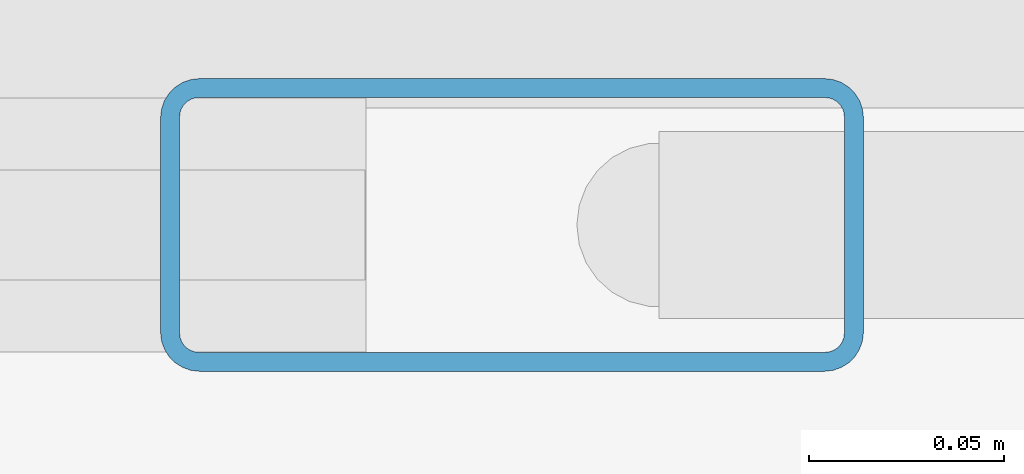
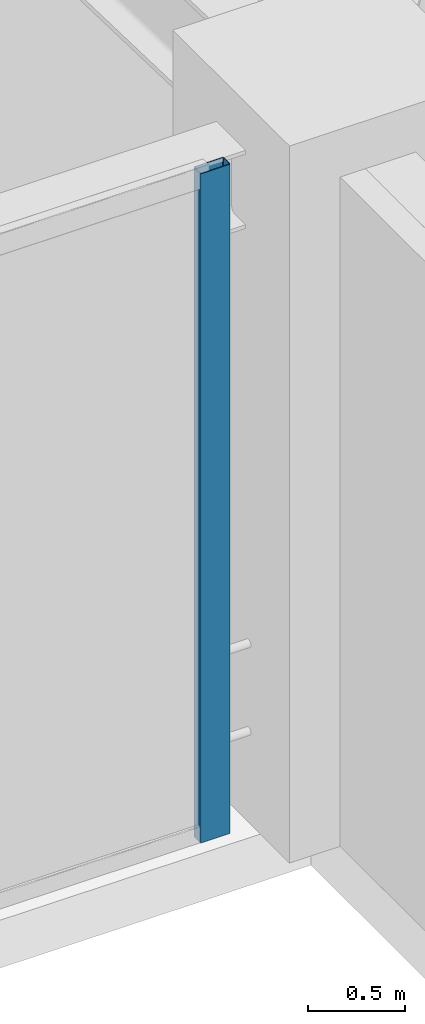
# One storey, part 17 of 37: 1 member, 1 element without a shape of its own.
"""IFC4 building model written with IfcOpenShell, lengths in metres."""

from ifc_helpers import new_model, si_unit, direction, frame, origin, origin_2d, place, context, subcontext, project, spatial, hollow_rectangle, extrude, material, layer, layer_set, material_profile, profile_set, type_object, element, aggregate, save


model = new_model("IFC4")

# Units and contexts
model_context = context("Model", 3, precision=1e-05, world=origin(), true_north=direction((0.0, 1.0)))
body_context = subcontext(model_context, "Body", "Model", "MODEL_VIEW")
ifc_project = project(units=[si_unit("LENGTHUNIT", "METRE"), si_unit("AREAUNIT", "SQUARE_METRE"), si_unit("VOLUMEUNIT", "CUBIC_METRE"), si_unit("PLANEANGLEUNIT", "RADIAN"), si_unit("MASSUNIT", "GRAM", prefix="KILO")], contexts=[model_context])

# Site, building, storey
site_placement = place(None, origin())
site = spatial("IfcSite", under=ifc_project, at=site_placement, CompositionType="ELEMENT")
building_placement = place(site_placement, origin())
building = spatial("IfcBuilding", under=site, at=building_placement, Name="Tarnavaz Court Tower", CompositionType="ELEMENT")
storey_placement = place(building_placement, frame((0.0, 0.0, 118.5)))
storey = spatial("IfcBuildingStorey", under=building, at=storey_placement, Name="L32", CompositionType="ELEMENT", Elevation=118.5)

# Curtain wall, member
ifc_material_1 = material(Name="Anodised Aluminium 6063-T6 and Solar Low-E Glazing", Category="aluminium")
ifc_layer = layer(ifc_material_1, 0.139892578125)
ifc_layer_set = layer_set([ifc_layer], Name="Anodised Aluminium 6063-T6 and Solar Low-E Glazing")
curtain_wall_type = type_object("IfcCurtainWallType", Name="CW-SYS-04", PredefinedType="NOTDEFINED", material=ifc_layer_set)
curtain_wall_placement = place(storey_placement, origin())
curtain_wall = element("IfcCurtainWall", 1, at=curtain_wall_placement, inside=storey, type_object=curtain_wall_type, Name="L32 Badgir Courtyard Curtain Wall N", PredefinedType="NOTDEFINED")
ifc_material_2 = material(Name="Anodised Aluminium 6063-T6", Category="aluminium")
ifc_material_profile = material_profile(ifc_material_2, hollow_rectangle(XDim=0.074951171875, YDim=0.179931640625, WallThickness=0.0048828125, InnerFilletRadius=0.0048828125, OuterFilletRadius=0.010009765625, at=origin_2d()), Name="ALU RHS 180X75X5")
ifc_profile_set = profile_set([ifc_material_profile], Name="Anodised Aluminium 6063-T6")
member_type = type_object("IfcMemberType", Name="CW-MUL-180", PredefinedType="MULLION", material=ifc_profile_set)
member_placement = place(storey_placement, frame((6.982421875, 7.6201171875, 0.0), z_axis=(0.0, 0.0, 1.0), x_axis=(0.0, -1.0, 0.0)))
member = element("IfcMember", 2, at=member_placement, type_object=member_type, Name="CW mullion 1", PredefinedType="MULLION", context=body_context, shape_type="SweptSolid", body=[
    extrude(hollow_rectangle(XDim=0.074951171875, YDim=0.179931640625, WallThickness=0.0048828125, InnerFilletRadius=0.0048828125, OuterFilletRadius=0.010009765625, at=origin_2d()), origin(), (0.0, 0.0, 1.0), 4.199951171875),
])
aggregate(curtain_wall, [member])

save(model, "model.ifc")
